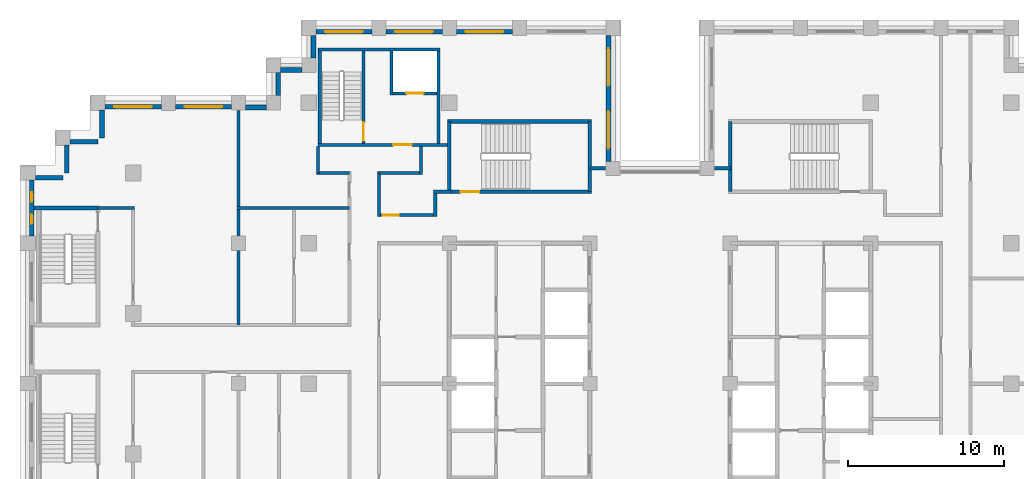
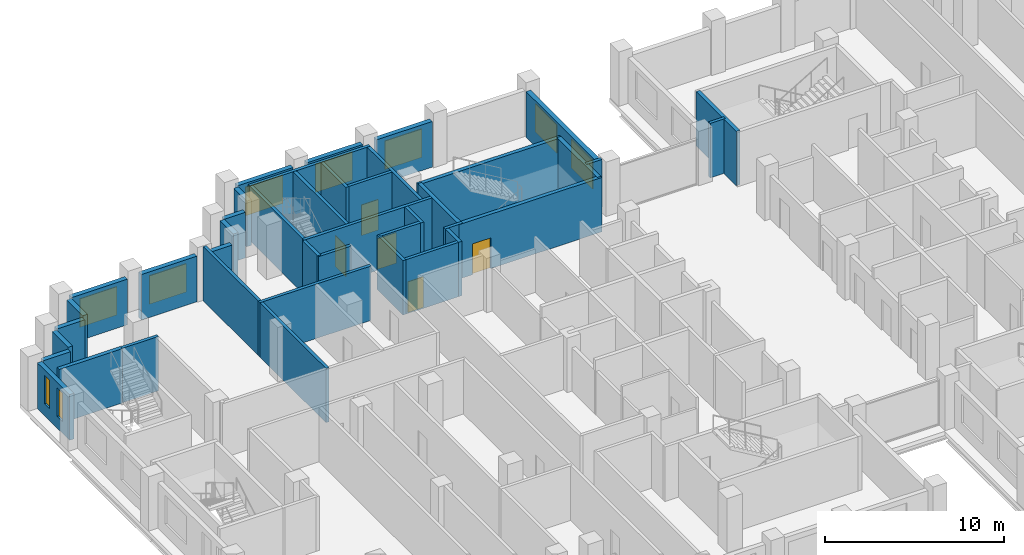
# One storey, part 10 of 15: 41 walls, 9 windows, 5 doors, 14 openings.
"""IFC4 building model written with IfcOpenShell, lengths in metres."""

from ifc_helpers import new_model, si_unit, direction, frame, frame_2d, origin, place, context, subcontext, project, spatial, rectangle, extrude, material, layer, layer_set, type_object, element, fill, save


model = new_model("IFC4")

# Units and contexts
model_context = context("Model", 3, precision=1e-05, world=origin(), true_north=direction((0.0, 1.0)))
body_context = subcontext(model_context, "Body", "Model", "MODEL_VIEW")
ifc_project = project(units=[si_unit("LENGTHUNIT", "METRE"), si_unit("AREAUNIT", "SQUARE_METRE"), si_unit("VOLUMEUNIT", "CUBIC_METRE"), si_unit("PLANEANGLEUNIT", "RADIAN"), si_unit("MASSUNIT", "GRAM", prefix="KILO")], contexts=[model_context])

# Site, building, storey
site_placement = place(None, origin())
site = spatial("IfcSite", under=ifc_project, at=site_placement, CompositionType="ELEMENT")
building_placement = place(site_placement, origin())
building = spatial("IfcBuilding", under=site, at=building_placement, Name="Corbelhall Arena Tower", CompositionType="ELEMENT")
storey_placement = place(building_placement, frame((0.0, 0.0, 204.0)))
storey = spatial("IfcBuildingStorey", under=building, at=storey_placement, Name="L42", CompositionType="ELEMENT", Elevation=204.0)

# Walls
ifc_material_1 = material(Name="Precast concrete C40/50 with granite facing", Category="masonry")
ifc_layer_1 = layer(ifc_material_1, 0.300048828125)
ifc_layer_set_1 = layer_set([ifc_layer_1], Name="EV-IW1 Infill panel 300")
wall_type_1 = type_object("IfcWallType", Name="EV-IW1 Infill panel 300", PredefinedType="SOLIDWALL", material=ifc_layer_set_1)
for number, where, z_axis, x_axis, name in (
    (1, (-35.75, 17.550048828125, 0.0), (0.0, 0.0, 1.0), (0.0, -1.0, 0.0), "Infill panel IW1"),
    (2, (-37.800048828125, 15.5, 0.0), (0.0, 0.0, 1.0), (1.0, 0.0, 0.0), "Infill panel IW1"),
    (3, (-38.0, 15.300048828125, 0.0), (0.0, 0.0, 1.0), (0.0, -1.0, 0.0), "Infill panel IW1"),
):
    element("IfcWall", number, at=place(storey_placement, frame(where, z_axis=z_axis, x_axis=x_axis)), inside=storey, type_object=wall_type_1, Name=name, PredefinedType="SOLIDWALL", context=body_context, shape_type="SweptSolid", body=[
        extrude(rectangle(XDim=1.800048828125, YDim=0.300048828125, at=frame_2d((0.89990234375, 0.0))), origin(), (0.0, 0.0, 1.0), 3.1201171875),
    ])
wall_1_placement = place(storey_placement, frame((-40.0, 13.199951171875, 0.0), z_axis=(0.0, 0.0, 1.0), x_axis=(1.0, 0.0, 0.0)))
element("IfcWall", 4, at=wall_1_placement, inside=storey, type_object=wall_type_1, Name="Infill panel IW1", PredefinedType="SOLIDWALL", context=body_context, shape_type="SweptSolid", body=[
    extrude(rectangle(XDim=1.75, YDim=0.300048828125, at=frame_2d((0.875, 0.0))), origin(), (0.0, 0.0, 1.0), 3.1201171875),
])
wall_2_placement = place(storey_placement, frame((-22.949951171875, 20.10009765625, 0.0), z_axis=(0.0, 0.0, 1.0), x_axis=(-1.0, 0.0, 0.0)))
element("IfcWall", 5, at=wall_2_placement, inside=storey, type_object=wall_type_1, Name="Infill panel IW1", PredefinedType="SOLIDWALL", context=body_context, shape_type="SweptSolid", body=[
    extrude(rectangle(XDim=1.35009765625, YDim=0.300048828125, at=frame_2d((0.675048828125, 0.0))), origin(), (0.0, 0.0, 1.0), 3.1201171875),
])
wall_3_placement = place(storey_placement, frame((-24.449951171875, 19.949951171875, 0.0), z_axis=(0.0, 0.0, 1.0), x_axis=(0.0, -1.0, 0.0)))
element("IfcWall", 6, at=wall_3_placement, inside=storey, type_object=wall_type_1, Name="Infill panel IW1", PredefinedType="SOLIDWALL", context=body_context, shape_type="SweptSolid", body=[
    extrude(rectangle(XDim=1.5, YDim=0.300048828125, at=frame_2d((0.75, 0.0))), origin(), (0.0, 0.0, 1.0), 3.1201171875),
])
wall_4_placement = place(storey_placement, frame((-25.199951171875, 17.699951171875, 0.0), z_axis=(0.0, 0.0, 1.0), x_axis=(-1.0, 0.0, 0.0)))
element("IfcWall", 7, at=wall_4_placement, inside=storey, type_object=wall_type_1, Name="Infill panel IW1", PredefinedType="SOLIDWALL", context=body_context, shape_type="SweptSolid", body=[
    extrude(rectangle(XDim=1.35009765625, YDim=0.300048828125, at=frame_2d((0.675048828125, 0.0))), origin(), (0.0, 0.0, 1.0), 3.1201171875),
])

# Wall, opening, window
wall_5_placement = place(storey_placement, frame((-27.449951171875, 17.75, 0.0), z_axis=(0.0, 0.0, 1.0), x_axis=(-1.0, 0.0, 0.0)))
wall_5 = element("IfcWall", 8, at=wall_5_placement, inside=storey, type_object=wall_type_1, Name="Infill panel IW1", PredefinedType="SOLIDWALL", context=body_context, shape_type="SweptSolid", body=[
    extrude(rectangle(XDim=3.60009765625, YDim=0.300048828125, at=frame_2d((1.800048828125, 0.0))), origin(), (0.0, 0.0, 1.0), 3.1201171875),
])
opening_1_placement = place(wall_5_placement, frame((0.60009765625, 0.0, 0.800048828125)))
opening_1 = element("IfcOpeningElement", 9, at=opening_1_placement, cuts=wall_5, Name="Opening WN1", PredefinedType="OPENING", context=body_context, shape_type="SweptSolid", body=[
    extrude(rectangle(XDim=2.39990234375, YDim=1.949951171875, at=frame_2d((1.199951171875, 0.97509765625))), frame((0.0, 0.14990234375, 0.0), z_axis=(0.0, -1.0, 0.0), x_axis=(1.0, 0.0, 0.0)), (0.0, 0.0, 1.0), 0.300048828125),
])
ifc_material_2 = material(Name="Aluminium black anodised", Category="aluminium")
window_type_1 = type_object("IfcWindowType", Name="EV-WN1 Office window", PartitioningType="SINGLE_PANEL", PredefinedType="WINDOW", material=ifc_material_2)
window_1_placement = place(opening_1_placement, origin())
window_1 = element("IfcWindow", 10, at=window_1_placement, inside=storey, type_object=window_type_1, Name="Window WN1", OverallHeight=1.949951171875, OverallWidth=2.39990234375, PartitioningType="SINGLE_PANEL", PredefinedType="WINDOW", context=body_context, shape_type="SweptSolid", body=[
    extrude(rectangle(XDim=2.39990234375, YDim=1.949951171875, at=frame_2d((1.199951171875, 0.97509765625))), frame((0.0, 0.030029296875, 0.0), z_axis=(0.0, -1.0, 0.0), x_axis=(1.0, 0.0, 0.0)), (0.0, 0.0, 1.0), 0.06005859375),
])
fill(opening_1, window_1)

wall_6_placement = place(storey_placement, frame((-31.949951171875, 17.75, 0.0), z_axis=(0.0, 0.0, 1.0), x_axis=(-1.0, 0.0, 0.0)))
wall_6 = element("IfcWall", 11, at=wall_6_placement, inside=storey, type_object=wall_type_1, Name="Infill panel IW1", PredefinedType="SOLIDWALL", context=body_context, shape_type="SweptSolid", body=[
    extrude(rectangle(XDim=3.60009765625, YDim=0.300048828125, at=frame_2d((1.800048828125, 0.0))), origin(), (0.0, 0.0, 1.0), 3.1201171875),
])
opening_2_placement = place(wall_6_placement, frame((0.60009765625, 0.0, 0.800048828125)))
opening_2 = element("IfcOpeningElement", 12, at=opening_2_placement, cuts=wall_6, Name="Opening WN1", PredefinedType="OPENING", context=body_context, shape_type="SweptSolid", body=[
    extrude(rectangle(XDim=2.39990234375, YDim=1.949951171875, at=frame_2d((1.199951171875, 0.97509765625))), frame((0.0, 0.14990234375, 0.0), z_axis=(0.0, -1.0, 0.0), x_axis=(1.0, 0.0, 0.0)), (0.0, 0.0, 1.0), 0.300048828125),
])
window_2_placement = place(opening_2_placement, origin())
window_2 = element("IfcWindow", 13, at=window_2_placement, inside=storey, type_object=window_type_1, Name="Window WN1", OverallHeight=1.949951171875, OverallWidth=2.39990234375, PartitioningType="SINGLE_PANEL", PredefinedType="WINDOW", context=body_context, shape_type="SweptSolid", body=[
    extrude(rectangle(XDim=2.39990234375, YDim=1.949951171875, at=frame_2d((1.199951171875, 0.97509765625))), frame((0.0, 0.030029296875, 0.0), z_axis=(0.0, -1.0, 0.0), x_axis=(1.0, 0.0, 0.0)), (0.0, 0.0, 1.0), 0.06005859375),
])
fill(opening_2, window_2)

# Wall, openings, windows
wall_7_placement = place(storey_placement, frame((-40.25, 13.050048828125, 0.0), z_axis=(0.0, 0.0, 1.0), x_axis=(0.0, -1.0, 0.0)))
wall_7 = element("IfcWall", 14, at=wall_7_placement, inside=storey, type_object=wall_type_1, Name="Infill panel IW1", PredefinedType="SOLIDWALL", context=body_context, shape_type="SweptSolid", body=[
    extrude(rectangle(XDim=3.60009765625, YDim=0.300048828125, at=frame_2d((1.800048828125, 0.0))), origin(), (0.0, 0.0, 1.0), 3.1201171875),
])
opening_3_placement = place(wall_7_placement, frame((0.78759765625, 0.0, 0.800048828125)))
opening_3 = element("IfcOpeningElement", 15, at=opening_3_placement, cuts=wall_7, Name="Opening WN5", PredefinedType="OPENING", context=body_context, shape_type="SweptSolid", body=[
    extrude(rectangle(XDim=0.60009765625, YDim=1.949951171875, at=frame_2d((0.300048828125, 0.97509765625))), frame((0.0, 0.14990234375, 0.0), z_axis=(0.0, -1.0, 0.0), x_axis=(1.0, 0.0, 0.0)), (0.0, 0.0, 1.0), 0.300048828125),
])
opening_4_placement = place(wall_7_placement, frame((2.21240234375, 0.0, 0.800048828125)))
opening_4 = element("IfcOpeningElement", 16, at=opening_4_placement, cuts=wall_7, Name="Opening WN5", PredefinedType="OPENING", context=body_context, shape_type="SweptSolid", body=[
    extrude(rectangle(XDim=0.60009765625, YDim=1.949951171875, at=frame_2d((0.300048828125, 0.97509765625))), frame((0.0, 0.14990234375, 0.0), z_axis=(0.0, -1.0, 0.0), x_axis=(1.0, 0.0, 0.0)), (0.0, 0.0, 1.0), 0.300048828125),
])
window_type_2 = type_object("IfcWindowType", Name="EV-WN5 Office window 600", PartitioningType="SINGLE_PANEL", PredefinedType="WINDOW", material=ifc_material_2)
window_3_placement = place(opening_3_placement, origin())
window_3 = element("IfcWindow", 17, at=window_3_placement, inside=storey, type_object=window_type_2, Name="Window WN5", OverallHeight=1.949951171875, OverallWidth=0.60009765625, PartitioningType="SINGLE_PANEL", PredefinedType="WINDOW", context=body_context, shape_type="SweptSolid", body=[
    extrude(rectangle(XDim=0.60009765625, YDim=1.949951171875, at=frame_2d((0.300048828125, 0.97509765625))), frame((0.0, 0.030029296875, 0.0), z_axis=(0.0, -1.0, 0.0), x_axis=(1.0, 0.0, 0.0)), (0.0, 0.0, 1.0), 0.06005859375),
])
fill(opening_3, window_3)
window_4_placement = place(opening_4_placement, origin())
window_4 = element("IfcWindow", 18, at=window_4_placement, inside=storey, type_object=window_type_2, Name="Window WN5", OverallHeight=1.949951171875, OverallWidth=0.60009765625, PartitioningType="SINGLE_PANEL", PredefinedType="WINDOW", context=body_context, shape_type="SweptSolid", body=[
    extrude(rectangle(XDim=0.60009765625, YDim=1.949951171875, at=frame_2d((0.300048828125, 0.97509765625))), frame((0.0, 0.030029296875, 0.0), z_axis=(0.0, -1.0, 0.0), x_axis=(1.0, 0.0, 0.0)), (0.0, 0.0, 1.0), 0.06005859375),
])
fill(opening_4, window_4)

wall_8_placement = place(storey_placement, frame((-3.300048828125, 14.25, 0.0), z_axis=(0.0, 0.0, 1.0), x_axis=(0.0, 1.0, 0.0)))
wall_8 = element("IfcWall", 19, at=wall_8_placement, inside=storey, type_object=wall_type_1, Name="Infill panel IW1", PredefinedType="SOLIDWALL", context=body_context, shape_type="SweptSolid", body=[
    extrude(rectangle(XDim=8.050048828125, YDim=0.300048828125, at=frame_2d((4.02490234375, 0.0))), origin(), (0.0, 0.0, 1.0), 3.1201171875),
])
opening_5_placement = place(wall_8_placement, frame((0.8125, 0.0, 0.800048828125)))
opening_5 = element("IfcOpeningElement", 20, at=opening_5_placement, cuts=wall_8, Name="Opening WN1", PredefinedType="OPENING", context=body_context, shape_type="SweptSolid", body=[
    extrude(rectangle(XDim=2.39990234375, YDim=1.949951171875, at=frame_2d((1.199951171875, 0.97509765625))), frame((0.0, 0.14990234375, 0.0), z_axis=(0.0, -1.0, 0.0), x_axis=(1.0, 0.0, 0.0)), (0.0, 0.0, 1.0), 0.300048828125),
])
opening_6_placement = place(wall_8_placement, frame((4.83740234375, 0.0, 0.800048828125)))
opening_6 = element("IfcOpeningElement", 21, at=opening_6_placement, cuts=wall_8, Name="Opening WN1", PredefinedType="OPENING", context=body_context, shape_type="SweptSolid", body=[
    extrude(rectangle(XDim=2.39990234375, YDim=1.949951171875, at=frame_2d((1.199951171875, 0.97509765625))), frame((0.0, 0.14990234375, 0.0), z_axis=(0.0, -1.0, 0.0), x_axis=(1.0, 0.0, 0.0)), (0.0, 0.0, 1.0), 0.300048828125),
])
window_5_placement = place(opening_5_placement, origin())
window_5 = element("IfcWindow", 22, at=window_5_placement, inside=storey, type_object=window_type_1, Name="Window WN1", OverallHeight=1.949951171875, OverallWidth=2.39990234375, PartitioningType="SINGLE_PANEL", PredefinedType="WINDOW", context=body_context, shape_type="SweptSolid", body=[
    extrude(rectangle(XDim=2.39990234375, YDim=1.949951171875, at=frame_2d((1.199951171875, 0.97509765625))), frame((0.0, 0.030029296875, 0.0), z_axis=(0.0, -1.0, 0.0), x_axis=(1.0, 0.0, 0.0)), (0.0, 0.0, 1.0), 0.06005859375),
])
fill(opening_5, window_5)
window_6_placement = place(opening_6_placement, origin())
window_6 = element("IfcWindow", 23, at=window_6_placement, inside=storey, type_object=window_type_1, Name="Window WN1", OverallHeight=1.949951171875, OverallWidth=2.39990234375, PartitioningType="SINGLE_PANEL", PredefinedType="WINDOW", context=body_context, shape_type="SweptSolid", body=[
    extrude(rectangle(XDim=2.39990234375, YDim=1.949951171875, at=frame_2d((1.199951171875, 0.97509765625))), frame((0.0, 0.030029296875, 0.0), z_axis=(0.0, -1.0, 0.0), x_axis=(1.0, 0.0, 0.0)), (0.0, 0.0, 1.0), 0.06005859375),
])
fill(opening_6, window_6)

# Wall, opening, window
wall_9_placement = place(storey_placement, frame((-9.449951171875, 22.550048828125, 0.0), z_axis=(0.0, 0.0, 1.0), x_axis=(-1.0, 0.0, 0.0)))
wall_9 = element("IfcWall", 24, at=wall_9_placement, inside=storey, type_object=wall_type_1, Name="Infill panel IW1", PredefinedType="SOLIDWALL", context=body_context, shape_type="SweptSolid", body=[
    extrude(rectangle(XDim=3.60009765625, YDim=0.300048828125, at=frame_2d((1.800048828125, 0.0))), origin(), (0.0, 0.0, 1.0), 3.1201171875),
])
opening_7_placement = place(wall_9_placement, frame((0.60009765625, 0.0, 0.800048828125)))
opening_7 = element("IfcOpeningElement", 25, at=opening_7_placement, cuts=wall_9, Name="Opening WN1", PredefinedType="OPENING", context=body_context, shape_type="SweptSolid", body=[
    extrude(rectangle(XDim=2.39990234375, YDim=1.949951171875, at=frame_2d((1.199951171875, 0.97509765625))), frame((0.0, 0.14990234375, 0.0), z_axis=(0.0, -1.0, 0.0), x_axis=(1.0, 0.0, 0.0)), (0.0, 0.0, 1.0), 0.300048828125),
])
window_7_placement = place(opening_7_placement, origin())
window_7 = element("IfcWindow", 26, at=window_7_placement, inside=storey, type_object=window_type_1, Name="Window WN1", OverallHeight=1.949951171875, OverallWidth=2.39990234375, PartitioningType="SINGLE_PANEL", PredefinedType="WINDOW", context=body_context, shape_type="SweptSolid", body=[
    extrude(rectangle(XDim=2.39990234375, YDim=1.949951171875, at=frame_2d((1.199951171875, 0.97509765625))), frame((0.0, 0.030029296875, 0.0), z_axis=(0.0, -1.0, 0.0), x_axis=(1.0, 0.0, 0.0)), (0.0, 0.0, 1.0), 0.06005859375),
])
fill(opening_7, window_7)

wall_10_placement = place(storey_placement, frame((-13.949951171875, 22.550048828125, 0.0), z_axis=(0.0, 0.0, 1.0), x_axis=(-1.0, 0.0, 0.0)))
wall_10 = element("IfcWall", 27, at=wall_10_placement, inside=storey, type_object=wall_type_1, Name="Infill panel IW1", PredefinedType="SOLIDWALL", context=body_context, shape_type="SweptSolid", body=[
    extrude(rectangle(XDim=3.60009765625, YDim=0.300048828125, at=frame_2d((1.800048828125, 0.0))), origin(), (0.0, 0.0, 1.0), 3.1201171875),
])
opening_8_placement = place(wall_10_placement, frame((0.60009765625, 0.0, 0.800048828125)))
opening_8 = element("IfcOpeningElement", 28, at=opening_8_placement, cuts=wall_10, Name="Opening WN1", PredefinedType="OPENING", context=body_context, shape_type="SweptSolid", body=[
    extrude(rectangle(XDim=2.39990234375, YDim=1.949951171875, at=frame_2d((1.199951171875, 0.97509765625))), frame((0.0, 0.14990234375, 0.0), z_axis=(0.0, -1.0, 0.0), x_axis=(1.0, 0.0, 0.0)), (0.0, 0.0, 1.0), 0.300048828125),
])
window_8_placement = place(opening_8_placement, origin())
window_8 = element("IfcWindow", 29, at=window_8_placement, inside=storey, type_object=window_type_1, Name="Window WN1", OverallHeight=1.949951171875, OverallWidth=2.39990234375, PartitioningType="SINGLE_PANEL", PredefinedType="WINDOW", context=body_context, shape_type="SweptSolid", body=[
    extrude(rectangle(XDim=2.39990234375, YDim=1.949951171875, at=frame_2d((1.199951171875, 0.97509765625))), frame((0.0, 0.030029296875, 0.0), z_axis=(0.0, -1.0, 0.0), x_axis=(1.0, 0.0, 0.0)), (0.0, 0.0, 1.0), 0.06005859375),
])
fill(opening_8, window_8)

wall_11_placement = place(storey_placement, frame((-18.449951171875, 22.550048828125, 0.0), z_axis=(0.0, 0.0, 1.0), x_axis=(-1.0, 0.0, 0.0)))
wall_11 = element("IfcWall", 30, at=wall_11_placement, inside=storey, type_object=wall_type_1, Name="Infill panel IW1", PredefinedType="SOLIDWALL", context=body_context, shape_type="SweptSolid", body=[
    extrude(rectangle(XDim=3.60009765625, YDim=0.300048828125, at=frame_2d((1.800048828125, 0.0))), origin(), (0.0, 0.0, 1.0), 3.1201171875),
])
opening_9_placement = place(wall_11_placement, frame((0.60009765625, 0.0, 0.800048828125)))
opening_9 = element("IfcOpeningElement", 31, at=opening_9_placement, cuts=wall_11, Name="Opening WN1", PredefinedType="OPENING", context=body_context, shape_type="SweptSolid", body=[
    extrude(rectangle(XDim=2.39990234375, YDim=1.949951171875, at=frame_2d((1.199951171875, 0.97509765625))), frame((0.0, 0.14990234375, 0.0), z_axis=(0.0, -1.0, 0.0), x_axis=(1.0, 0.0, 0.0)), (0.0, 0.0, 1.0), 0.300048828125),
])
window_9_placement = place(opening_9_placement, origin())
window_9 = element("IfcWindow", 32, at=window_9_placement, inside=storey, type_object=window_type_1, Name="Window WN1", OverallHeight=1.949951171875, OverallWidth=2.39990234375, PartitioningType="SINGLE_PANEL", PredefinedType="WINDOW", context=body_context, shape_type="SweptSolid", body=[
    extrude(rectangle(XDim=2.39990234375, YDim=1.949951171875, at=frame_2d((1.199951171875, 0.97509765625))), frame((0.0, 0.030029296875, 0.0), z_axis=(0.0, -1.0, 0.0), x_axis=(1.0, 0.0, 0.0)), (0.0, 0.0, 1.0), 0.06005859375),
])
fill(opening_9, window_9)

# Walls
wall_12_placement = place(storey_placement, frame((-22.199951171875, 22.300048828125, 0.0), z_axis=(0.0, 0.0, 1.0), x_axis=(0.0, -1.0, 0.0)))
element("IfcWall", 33, at=wall_12_placement, inside=storey, type_object=wall_type_1, Name="Infill panel IW1", PredefinedType="SOLIDWALL", context=body_context, shape_type="SweptSolid", body=[
    extrude(rectangle(XDim=1.449951171875, YDim=0.300048828125, at=frame_2d((0.72509765625, 0.0))), origin(), (0.0, 0.0, 1.0), 3.1201171875),
])
ifc_material_3 = material(Name="Gypsum board on steel stud, acoustic", Category="steel")
ifc_layer_2 = layer(ifc_material_3, 0.199951171875)
ifc_layer_set_2 = layer_set([ifc_layer_2], Name="IN-W-DM200")
wall_type_2 = type_object("IfcWallType", Name="IN-W-DM200", PredefinedType="PARTITIONING", material=ifc_layer_set_2)
wall_13_placement = place(storey_placement, frame((-36.0, 11.25, 0.0), z_axis=(0.0, 0.0, 1.0), x_axis=(1.0, 0.0, 0.0)))
element("IfcWall", 34, at=wall_13_placement, inside=storey, type_object=wall_type_2, Name="Partition 001", PredefinedType="PARTITIONING", context=body_context, shape_type="SweptSolid", body=[
    extrude(rectangle(XDim=2.35009765625, YDim=0.199951171875, at=frame_2d((1.175048828125, 0.0))), origin(), (0.0, 0.0, 1.0), 3.719970703125),
])
wall_14_placement = place(storey_placement, frame((-27.10009765625, 11.25, 0.0), z_axis=(0.0, 0.0, 1.0), x_axis=(1.0, 0.0, 0.0)))
element("IfcWall", 35, at=wall_14_placement, inside=storey, type_object=wall_type_2, Name="Partition 008", PredefinedType="PARTITIONING", context=body_context, shape_type="SweptSolid", body=[
    extrude(rectangle(XDim=7.2001953125, YDim=0.199951171875, at=frame_2d((3.60009765625, 0.0))), origin(), (0.0, 0.0, 1.0), 3.719970703125),
])
wall_15_placement = place(storey_placement, frame((-27.0, 3.75, 0.0), z_axis=(0.0, 0.0, 1.0), x_axis=(0.0, 1.0, 0.0)))
element("IfcWall", 36, at=wall_15_placement, inside=storey, type_object=wall_type_2, Name="Partition 010", PredefinedType="PARTITIONING", context=body_context, shape_type="SweptSolid", body=[
    extrude(rectangle(XDim=13.75, YDim=0.199951171875, at=frame_2d((6.875, 0.0))), origin(), (0.0, 0.0, 1.0), 3.719970703125),
])
wall_16_placement = place(storey_placement, frame((-21.89990234375, 13.5, 0.0), z_axis=(0.0, 0.0, 1.0), x_axis=(0.0, 1.0, 0.0)))
element("IfcWall", 37, at=wall_16_placement, inside=storey, type_object=wall_type_2, Name="Partition 014", PredefinedType="PARTITIONING", context=body_context, shape_type="SweptSolid", body=[
    extrude(rectangle(XDim=1.699951171875, YDim=0.199951171875, at=frame_2d((0.85009765625, 0.0))), origin(), (0.0, 0.0, 1.0), 3.719970703125),
])
wall_17_placement = place(storey_placement, frame((-19.89990234375, 13.5, 0.0), z_axis=(0.0, 0.0, 1.0), x_axis=(-1.0, 0.0, 0.0)))
element("IfcWall", 38, at=wall_17_placement, inside=storey, type_object=wall_type_2, Name="Partition 017", PredefinedType="PARTITIONING", context=body_context, shape_type="SweptSolid", body=[
    extrude(rectangle(XDim=2.10009765625, YDim=0.199951171875, at=frame_2d((1.050048828125, 0.0))), origin(), (0.0, 0.0, 1.0), 3.719970703125),
])

# Wall, opening, door
wall_18_placement = place(storey_placement, frame((-18.0, 10.800048828125, 0.0), z_axis=(0.0, 0.0, 1.0), x_axis=(1.0, 0.0, 0.0)))
wall_18 = element("IfcWall", 39, at=wall_18_placement, inside=storey, type_object=wall_type_2, Name="Partition 022", PredefinedType="PARTITIONING", context=body_context, shape_type="SweptSolid", body=[
    extrude(rectangle(XDim=3.60009765625, YDim=0.199951171875, at=frame_2d((1.800048828125, 0.0))), origin(), (0.0, 0.0, 1.0), 3.719970703125),
])
opening_10_placement = place(wall_18_placement, frame((0.25, 0.0, 0.0)))
opening_10 = element("IfcOpeningElement", 40, at=opening_10_placement, cuts=wall_18, Name="Opening 12027", PredefinedType="OPENING", context=body_context, shape_type="SweptSolid", body=[
    extrude(rectangle(XDim=1.0, YDim=2.10009765625, at=frame_2d((0.5, 1.050048828125))), frame((0.0, 0.10009765625, 0.0), z_axis=(0.0, -1.0, 0.0), x_axis=(1.0, 0.0, 0.0)), (0.0, 0.0, 1.0), 0.199951171875),
])
ifc_material_4 = material(Name="Steel door set", Category="steel")
door_type_1 = type_object("IfcDoorType", Name="IN-D-SW100", OperationType="NOTDEFINED", PredefinedType="DOOR", material=ifc_material_4)
door_1_placement = place(opening_10_placement, origin())
door_1 = element("IfcDoor", 41, at=door_1_placement, inside=storey, type_object=door_type_1, Name="Door 027", OperationType="SINGLE_SWING_RIGHT", OverallHeight=2.10009765625, OverallWidth=1.0, PredefinedType="DOOR", context=body_context, shape_type="SweptSolid", body=[
    extrude(rectangle(XDim=1.0, YDim=2.10009765625, at=frame_2d((0.5, 1.050048828125))), frame((0.0, 0.02490234375, 0.0), z_axis=(0.0, -1.0, 0.0), x_axis=(1.0, 0.0, 0.0)), (0.0, 0.0, 1.0), 0.050048828125),
])
fill(opening_10, door_1)

# Walls
wall_19_placement = place(storey_placement, frame((-18.0, 13.60009765625, 0.0), z_axis=(0.0, 0.0, 1.0), x_axis=(0.0, -1.0, 0.0)))
element("IfcWall", 42, at=wall_19_placement, inside=storey, type_object=wall_type_2, Name="Partition 023", PredefinedType="PARTITIONING", context=body_context, shape_type="SweptSolid", body=[
    extrude(rectangle(XDim=2.900146484375, YDim=0.199951171875, at=frame_2d((1.4501953125, 0.0))), origin(), (0.0, 0.0, 1.0), 3.719970703125),
])
wall_20_placement = place(storey_placement, frame((-15.300048828125, 13.5, 0.0), z_axis=(0.0, 0.0, 1.0), x_axis=(-1.0, 0.0, 0.0)))
element("IfcWall", 43, at=wall_20_placement, inside=storey, type_object=wall_type_2, Name="Partition 024", PredefinedType="PARTITIONING", context=body_context, shape_type="SweptSolid", body=[
    extrude(rectangle(XDim=2.699951171875, YDim=0.199951171875, at=frame_2d((1.35009765625, 0.0))), origin(), (0.0, 0.0, 1.0), 3.719970703125),
])
wall_21_placement = place(storey_placement, frame((-15.300048828125, 15.199951171875, 0.0), z_axis=(0.0, 0.0, 1.0), x_axis=(0.0, -1.0, 0.0)))
element("IfcWall", 44, at=wall_21_placement, inside=storey, type_object=wall_type_2, Name="Partition 025", PredefinedType="PARTITIONING", context=body_context, shape_type="SweptSolid", body=[
    extrude(rectangle(XDim=1.800048828125, YDim=0.199951171875, at=frame_2d((0.89990234375, 0.0))), origin(), (0.0, 0.0, 1.0), 3.719970703125),
])
wall_22_placement = place(storey_placement, frame((-14.5, 12.300048828125, 0.0), z_axis=(0.0, 0.0, 1.0), x_axis=(1.0, 0.0, 0.0)))
element("IfcWall", 45, at=wall_22_placement, inside=storey, type_object=wall_type_2, Name="Partition 026", PredefinedType="PARTITIONING", context=body_context, shape_type="SweptSolid", body=[
    extrude(rectangle(XDim=1.125, YDim=0.199951171875, at=frame_2d((0.5625, 0.0))), origin(), (0.0, 0.0, 1.0), 3.719970703125),
])
wall_23_placement = place(storey_placement, frame((-14.39990234375, 10.699951171875, 0.0), z_axis=(0.0, 0.0, 1.0), x_axis=(0.0, 1.0, 0.0)))
element("IfcWall", 46, at=wall_23_placement, inside=storey, type_object=wall_type_2, Name="Partition 030", PredefinedType="PARTITIONING", context=body_context, shape_type="SweptSolid", body=[
    extrude(rectangle(XDim=1.60009765625, YDim=0.199951171875, at=frame_2d((0.800048828125, 0.0))), origin(), (0.0, 0.0, 1.0), 3.719970703125),
])
for number, where, z_axis, x_axis, name in (
    (47, (-4.5, 13.800048828125, 0.0), (0.0, 0.0, 1.0), (1.0, 0.0, 0.0), "Partition 032"),
    (48, (3.5, 13.800048828125, 0.0), (0.0, 0.0, 1.0), (1.0, 0.0, 0.0), "Partition 034"),
):
    element("IfcWall", number, at=place(storey_placement, frame(where, z_axis=z_axis, x_axis=x_axis)), inside=storey, type_object=wall_type_2, Name=name, PredefinedType="PARTITIONING", context=body_context, shape_type="SweptSolid", body=[
        extrude(rectangle(XDim=1.0, YDim=0.199951171875, at=frame_2d((0.5, 0.0))), origin(), (0.0, 0.0, 1.0), 3.719970703125),
    ])

# Wall, opening, door
ifc_material_5 = material(Name="Concrete C40/50", Category="concrete")
ifc_layer_3 = layer(ifc_material_5, 0.199951171875)
ifc_layer_set_3 = layer_set([ifc_layer_3], Name="IN-W-EAR200")
wall_type_3 = type_object("IfcWallType", Name="IN-W-EAR200", PredefinedType="SOLIDWALL", material=ifc_layer_set_3)
wall_24_placement = place(storey_placement, frame((-21.89990234375, 15.300048828125, 0.0), z_axis=(0.0, 0.0, 1.0), x_axis=(1.0, 0.0, 0.0)))
wall_24 = element("IfcWall", 49, at=wall_24_placement, inside=storey, type_object=wall_type_3, Name="Fire service turret wall south", PredefinedType="SOLIDWALL", context=body_context, shape_type="SweptSolid", body=[
    extrude(rectangle(XDim=8.27490234375, YDim=0.199951171875, at=frame_2d((4.137451171875, 0.0))), origin(), (0.0, 0.0, 1.0), 3.719970703125),
])
opening_11_placement = place(wall_24_placement, frame((4.800048828125, 0.0, 0.0)))
opening_11 = element("IfcOpeningElement", 50, at=opening_11_placement, cuts=wall_24, Name="Opening E122", PredefinedType="OPENING", context=body_context, shape_type="SweptSolid", body=[
    extrude(rectangle(XDim=1.199951171875, YDim=2.10009765625, at=frame_2d((0.60009765625, 1.050048828125))), frame((0.0, 0.10009765625, 0.0), z_axis=(0.0, -1.0, 0.0), x_axis=(1.0, 0.0, 0.0)), (0.0, 0.0, 1.0), 0.199951171875),
])
door_type_2 = type_object("IfcDoorType", Name="IN-D-ST120", OperationType="NOTDEFINED", PredefinedType="DOOR", material=ifc_material_4)
door_2_placement = place(opening_11_placement, origin())
door_2 = element("IfcDoor", 51, at=door_2_placement, inside=storey, type_object=door_type_2, Name="Door from fire service lift lobby to circulation", OperationType="SINGLE_SWING_RIGHT", OverallHeight=2.10009765625, OverallWidth=1.199951171875, PredefinedType="DOOR", context=body_context, shape_type="SweptSolid", body=[
    extrude(rectangle(XDim=1.199951171875, YDim=2.10009765625, at=frame_2d((0.60009765625, 1.050048828125))), frame((0.0, 0.02490234375, 0.0), z_axis=(0.0, -1.0, 0.0), x_axis=(1.0, 0.0, 0.0)), (0.0, 0.0, 1.0), 0.050048828125),
])
fill(opening_11, door_2)

# Walls
wall_25_placement = place(storey_placement, frame((-21.89990234375, 21.39990234375, 0.0), z_axis=(0.0, 0.0, 1.0), x_axis=(1.0, 0.0, 0.0)))
element("IfcWall", 52, at=wall_25_placement, inside=storey, type_object=wall_type_3, Name="Fire service turret wall north", PredefinedType="SOLIDWALL", context=body_context, shape_type="SweptSolid", body=[
    extrude(rectangle(XDim=7.7998046875, YDim=0.199951171875, at=frame_2d((3.89990234375, 0.0))), origin(), (0.0, 0.0, 1.0), 3.719970703125),
])
for number, where, z_axis, x_axis, name in (
    (53, (-21.800048828125, 15.39990234375, 0.0), (0.0, 0.0, 1.0), (0.0, 1.0, 0.0), "Fire service turret wall west"),
    (54, (-14.199951171875, 15.39990234375, 0.0), (0.0, 0.0, 1.0), (0.0, 1.0, 0.0), "Fire service turret wall east"),
):
    element("IfcWall", number, at=place(storey_placement, frame(where, z_axis=z_axis, x_axis=x_axis)), inside=storey, type_object=wall_type_3, Name=name, PredefinedType="SOLIDWALL", context=body_context, shape_type="SweptSolid", body=[
        extrude(rectangle(XDim=5.900146484375, YDim=0.199951171875, at=frame_2d((2.9501953125, 0.0))), origin(), (0.0, 0.0, 1.0), 3.719970703125),
    ])

# Wall, opening, door
wall_26_placement = place(storey_placement, frame((-18.989990234375, 15.39990234375, 0.0), z_axis=(0.0, 0.0, 1.0), x_axis=(0.0, 1.0, 0.0)))
wall_26 = element("IfcWall", 55, at=wall_26_placement, inside=storey, type_object=wall_type_3, Name="Fire service turret wall stair", PredefinedType="SOLIDWALL", context=body_context, shape_type="SweptSolid", body=[
    extrude(rectangle(XDim=5.900146484375, YDim=0.199951171875, at=frame_2d((2.9501953125, 0.0))), origin(), (0.0, 0.0, 1.0), 3.719970703125),
])
opening_12_placement = place(wall_26_placement, frame((0.14990234375, 0.0, 0.0)))
opening_12 = element("IfcOpeningElement", 56, at=opening_12_placement, cuts=wall_26, Name="Opening E121", PredefinedType="OPENING", context=body_context, shape_type="SweptSolid", body=[
    extrude(rectangle(XDim=1.199951171875, YDim=2.10009765625, at=frame_2d((0.60009765625, 1.050048828125))), frame((0.0, 0.10009765625, 0.0), z_axis=(0.0, -1.0, 0.0), x_axis=(1.0, 0.0, 0.0)), (0.0, 0.0, 1.0), 0.199951171875),
])
door_3_placement = place(opening_12_placement, origin())
door_3 = element("IfcDoor", 57, at=door_3_placement, inside=storey, type_object=door_type_2, Name="Stair door to fire service lobby", OperationType="SINGLE_SWING_LEFT", OverallHeight=2.10009765625, OverallWidth=1.199951171875, PredefinedType="DOOR", context=body_context, shape_type="SweptSolid", body=[
    extrude(rectangle(XDim=1.199951171875, YDim=2.10009765625, at=frame_2d((0.60009765625, 1.050048828125))), frame((0.0, 0.02490234375, 0.0), z_axis=(0.0, -1.0, 0.0), x_axis=(1.0, 0.0, 0.0)), (0.0, 0.0, 1.0), 0.050048828125),
])
fill(opening_12, door_3)

# Wall
wall_27_placement = place(storey_placement, frame((-17.199951171875, 18.5, 0.0), z_axis=(0.0, 0.0, 1.0), x_axis=(0.0, 1.0, 0.0)))
element("IfcWall", 58, at=wall_27_placement, inside=storey, type_object=wall_type_3, Name="Fire service turret wall hoistway west", PredefinedType="SOLIDWALL", context=body_context, shape_type="SweptSolid", body=[
    extrude(rectangle(XDim=2.800048828125, YDim=0.199951171875, at=frame_2d((1.39990234375, 0.0))), origin(), (0.0, 0.0, 1.0), 3.719970703125),
])

# Wall, opening, door
wall_28_placement = place(storey_placement, frame((-17.10009765625, 18.60009765625, 0.0), z_axis=(0.0, 0.0, 1.0), x_axis=(1.0, 0.0, 0.0)))
wall_28 = element("IfcWall", 59, at=wall_28_placement, inside=storey, type_object=wall_type_3, Name="Fire service turret wall hoistway south", PredefinedType="SOLIDWALL", context=body_context, shape_type="SweptSolid", body=[
    extrude(rectangle(XDim=2.800048828125, YDim=0.199951171875, at=frame_2d((1.39990234375, 0.0))), origin(), (0.0, 0.0, 1.0), 3.719970703125),
])
opening_13_placement = place(wall_28_placement, frame((0.85009765625, 0.0, 0.0)))
opening_13 = element("IfcOpeningElement", 60, at=opening_13_placement, cuts=wall_28, Name="Opening LD", PredefinedType="OPENING", context=body_context, shape_type="SweptSolid", body=[
    extrude(rectangle(XDim=1.10009765625, YDim=2.10009765625, at=frame_2d((0.550048828125, 1.050048828125))), frame((0.0, 0.10009765625, 0.0), z_axis=(0.0, -1.0, 0.0), x_axis=(1.0, 0.0, 0.0)), (0.0, 0.0, 1.0), 0.199951171875),
])
door_type_3 = type_object("IfcDoorType", Name="IN-D-LD110", OperationType="NOTDEFINED", PredefinedType="DOOR", material=ifc_material_4)
door_4_placement = place(opening_13_placement, origin())
door_4 = element("IfcDoor", 61, at=door_4_placement, inside=storey, type_object=door_type_3, Name="Landing door FS1", OperationType="SLIDING_TO_LEFT", OverallHeight=2.10009765625, OverallWidth=1.10009765625, PredefinedType="DOOR", context=body_context, shape_type="SweptSolid", body=[
    extrude(rectangle(XDim=1.10009765625, YDim=2.10009765625, at=frame_2d((0.550048828125, 1.050048828125))), frame((0.0, 0.02490234375, 0.0), z_axis=(0.0, -1.0, 0.0), x_axis=(1.0, 0.0, 0.0)), (0.0, 0.0, 1.0), 0.050048828125),
])
fill(opening_13, door_4)

# Wall
ifc_layer_4 = layer(ifc_material_5, 0.25)
ifc_layer_set_4 = layer_set([ifc_layer_4], Name="IN-W-ST250")
wall_type_4 = type_object("IfcWallType", Name="IN-W-ST250", PredefinedType="SOLIDWALL", material=ifc_layer_set_4)
wall_29_placement = place(storey_placement, frame((-40.10009765625, 11.25, 0.0), z_axis=(0.0, 0.0, 1.0), x_axis=(1.0, 0.0, 0.0)))
element("IfcWall", 62, at=wall_29_placement, inside=storey, type_object=wall_type_4, Name="Shaft wall 097", PredefinedType="SOLIDWALL", context=body_context, shape_type="SweptSolid", body=[
    extrude(rectangle(XDim=4.10009765625, YDim=0.25, at=frame_2d((2.050048828125, 0.0))), origin(), (0.0, 0.0, 1.0), 3.719970703125),
])

# Wall, opening, door
wall_30_placement = place(storey_placement, frame((-13.625, 12.300048828125, 0.0), z_axis=(0.0, 0.0, 1.0), x_axis=(1.0, 0.0, 0.0)))
wall_30 = element("IfcWall", 63, at=wall_30_placement, inside=storey, type_object=wall_type_4, Name="Shaft wall 102", PredefinedType="SOLIDWALL", context=body_context, shape_type="SweptSolid", body=[
    extrude(rectangle(XDim=9.25, YDim=0.25, at=frame_2d((4.625, 0.0))), origin(), (0.0, 0.0, 1.0), 3.719970703125),
])
opening_14_placement = place(wall_30_placement, frame((0.85009765625, 0.0, 0.0)))
opening_14 = element("IfcOpeningElement", 64, at=opening_14_placement, cuts=wall_30, Name="Opening 12017", PredefinedType="OPENING", context=body_context, shape_type="SweptSolid", body=[
    extrude(rectangle(XDim=1.199951171875, YDim=2.10009765625, at=frame_2d((0.60009765625, 1.050048828125))), frame((0.0, 0.125, 0.0), z_axis=(0.0, -1.0, 0.0), x_axis=(1.0, 0.0, 0.0)), (0.0, 0.0, 1.0), 0.25),
])
door_5_placement = place(opening_14_placement, origin())
door_5 = element("IfcDoor", 65, at=door_5_placement, inside=storey, type_object=door_type_2, Name="Door 017", OperationType="SINGLE_SWING_RIGHT", OverallHeight=2.10009765625, OverallWidth=1.199951171875, PredefinedType="DOOR", context=body_context, shape_type="SweptSolid", body=[
    extrude(rectangle(XDim=1.199951171875, YDim=2.10009765625, at=frame_2d((0.60009765625, 1.050048828125))), frame((0.0, 0.02490234375, 0.0), z_axis=(0.0, -1.0, 0.0), x_axis=(1.0, 0.0, 0.0)), (0.0, 0.0, 1.0), 0.050048828125),
])
fill(opening_14, door_5)

# Walls
wall_31_placement = place(storey_placement, frame((-13.625, 16.800048828125, 0.0), z_axis=(0.0, 0.0, 1.0), x_axis=(1.0, 0.0, 0.0)))
element("IfcWall", 66, at=wall_31_placement, inside=storey, type_object=wall_type_4, Name="Shaft wall 103", PredefinedType="SOLIDWALL", context=body_context, shape_type="SweptSolid", body=[
    extrude(rectangle(XDim=9.25, YDim=0.25, at=frame_2d((4.625, 0.0))), origin(), (0.0, 0.0, 1.0), 3.719970703125),
])
for number, where, z_axis, x_axis, name in (
    (67, (-13.5, 12.300048828125, 0.0), (0.0, 0.0, 1.0), (0.0, 1.0, 0.0), "Shaft wall 105"),
    (68, (-4.5, 16.800048828125, 0.0), (0.0, 0.0, 1.0), (0.0, -1.0, 0.0), "Shaft wall 108"),
    (69, (4.5, 12.300048828125, 0.0), (0.0, 0.0, 1.0), (0.0, 1.0, 0.0), "Shaft wall 113"),
):
    element("IfcWall", number, at=place(storey_placement, frame(where, z_axis=z_axis, x_axis=x_axis)), inside=storey, type_object=wall_type_4, Name=name, PredefinedType="SOLIDWALL", context=body_context, shape_type="SweptSolid", body=[
        extrude(rectangle(XDim=4.5, YDim=0.25, at=frame_2d((2.25, 0.0))), origin(), (0.0, 0.0, 1.0), 3.719970703125),
    ])

save(model, "model.ifc")
